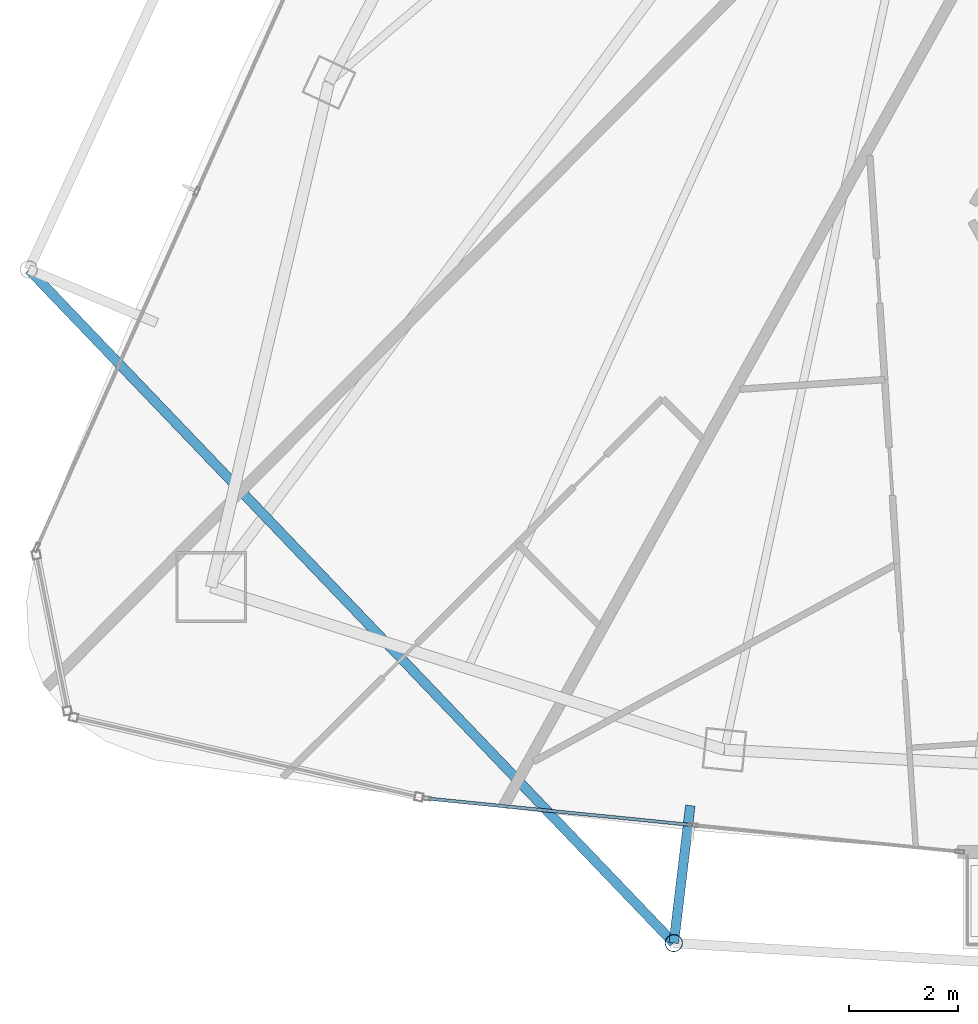
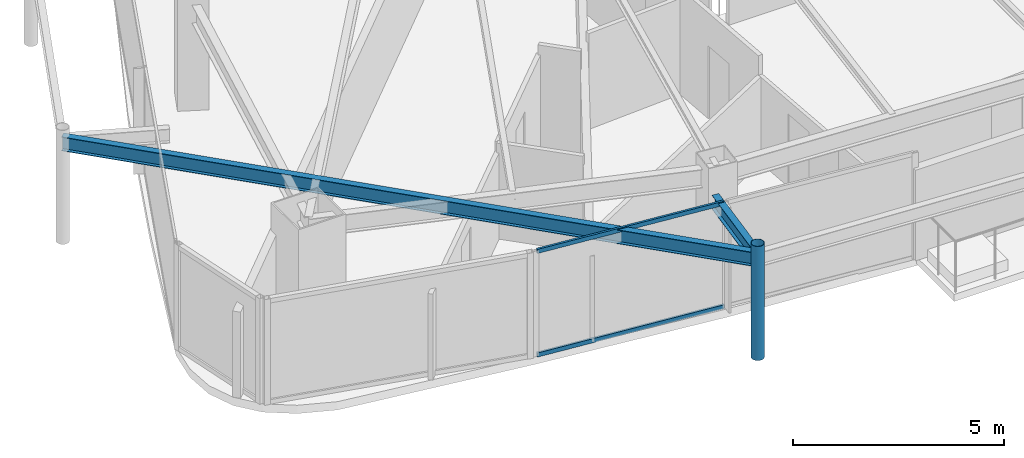
# One storey, part 3 of 29: 3 members, 2 beams, 1 element without a shape of its own.
"""IFC4 building model written with IfcOpenShell, lengths in metres."""

from ifc_helpers import new_model, si_unit, direction, frame, origin, origin_2d, place, context, subcontext, project, spatial, hollow_rectangle, hollow_circle, i_section, extrude, material, layer, layer_set, material_profile, profile_set, type_object, element, aggregate, save


model = new_model("IFC4")

# Units and contexts
model_context = context("Model", 3, precision=1e-05, world=origin(), true_north=direction((0.0, 1.0)))
body_context = subcontext(model_context, "Body", "Model", "MODEL_VIEW")
ifc_project = project(units=[si_unit("LENGTHUNIT", "METRE"), si_unit("AREAUNIT", "SQUARE_METRE"), si_unit("VOLUMEUNIT", "CUBIC_METRE"), si_unit("PLANEANGLEUNIT", "RADIAN"), si_unit("MASSUNIT", "GRAM", prefix="KILO")], contexts=[model_context])

# Site, building, storey
site_placement = place(None, origin())
site = spatial("IfcSite", under=ifc_project, at=site_placement, CompositionType="ELEMENT")
building_placement = place(site_placement, origin())
building = spatial("IfcBuilding", under=site, at=building_placement, Name="Orvanel Arch Residences", CompositionType="ELEMENT")
storey_placement = place(building_placement, frame((0.0, 0.0, 250.25)))
storey = spatial("IfcBuildingStorey", under=building, at=storey_placement, Name="L71", CompositionType="ELEMENT", Elevation=250.25)

# Beams
ifc_material_1 = material(Name="Structural steel AS/NZS 3679.1 Grade 300 (300 MPa)", Category="steel")
ifc_material_profile_1 = material_profile(ifc_material_1, i_section(OverallWidth=0.177978515625, OverallDepth=0.406005859375, WebThickness=0.0078125, FlangeThickness=0.0126953125, at=origin_2d()), Name="410UB59.7")
ifc_profile_set_1 = profile_set([ifc_material_profile_1], Name="Structural steel AS/NZS 3679.1 Grade 300 (300 MPa)")
beam_type = type_object("IfcBeamType", Name="OB-410UB-EXT", PredefinedType="SPANDREL", material=ifc_profile_set_1)
beam_1_placement = place(storey_placement, frame((10.841064453125, 16.197021484375, 2.85693359375), z_axis=(0.691619639198, -0.722261915565, 0.0), x_axis=(0.722261915565, 0.691619639198, 0.0)))
element("IfcBeam", 1, at=beam_1_placement, inside=storey, type_object=beam_type, Name="L71 Outer Perimeter Floor Ring Beam 04", PredefinedType="SPANDREL", context=body_context, shape_type="SweptSolid", body=[
    extrude(i_section(OverallWidth=0.177978515625, OverallDepth=0.406005859375, WebThickness=0.0078125, FlangeThickness=0.0126953125, at=origin_2d()), origin(), (0.0, 0.0, 1.0), 17.169921875),
])
beam_2_placement = place(storey_placement, frame((23.02001953125, 6.327880859375, 2.85693359375), z_axis=(-0.119190521137, -0.992871401376, 0.0), x_axis=(0.992871401376, -0.119190521137, 0.0)))
element("IfcBeam", 2, at=beam_2_placement, inside=storey, type_object=beam_type, Name="L71 Outer Frame Radial Tie Beam 05", PredefinedType="SPANDREL", context=body_context, shape_type="SweptSolid", body=[
    extrude(i_section(OverallWidth=0.177978515625, OverallDepth=0.406005859375, WebThickness=0.0078125, FlangeThickness=0.0126953125, at=origin_2d()), origin(), (0.0, 0.0, 1.0), 2.550048828125),
])

# Member
ifc_material_2 = material(Name="Structural steel AS/NZS 1163 C350L0 (Grade 350)", Category="steel")
ifc_material_profile_2 = material_profile(ifc_material_2, hollow_circle(Radius=0.162109375, WallThickness=0.0126953125, at=origin_2d()), Name="CHS324x12.7")
ifc_profile_set_2 = profile_set([ifc_material_profile_2], Name="Structural steel AS/NZS 1163 C350L0 (Grade 350)")
member_type_1 = type_object("IfcMemberType", Name="ST-324CHS-EXT", PredefinedType="STRUT", material=ifc_profile_set_2)
member_1_placement = place(storey_placement, frame((22.716064453125, 3.7958984375, 0.0), z_axis=(0.0, 0.0, 1.0), x_axis=(1.0, 0.0, 0.0)))
element("IfcMember", 3, at=member_1_placement, inside=storey, type_object=member_type_1, Name="L71 Outer Perimeter Frame Post 05", PredefinedType="STRUT", context=body_context, shape_type="SweptSolid", body=[
    extrude(hollow_circle(Radius=0.162109375, WallThickness=0.0126953125, at=origin_2d()), origin(), (0.0, 0.0, 1.0), 3.300048828125),
])

# Curtain wall, members
ifc_material_3 = material(Name="Bronze-anodised aluminium AA6063-T6", Category="aluminium")
ifc_layer = layer(ifc_material_3, 0.175048828125)
ifc_layer_set = layer_set([ifc_layer], Name="Bronze-anodised aluminium AA6063-T6")
curtain_wall_type = type_object("IfcCurtainWallType", Name="CW4-HI-SYS", PredefinedType="NOTDEFINED", material=ifc_layer_set)
curtain_wall_placement = place(storey_placement, origin())
curtain_wall = element("IfcCurtainWall", 4, at=curtain_wall_placement, inside=storey, type_object=curtain_wall_type, Name="L71 CW4-HI-SYS Unitised Curtain Wall", PredefinedType="NOTDEFINED")
ifc_material_profile_3 = material_profile(ifc_material_3, hollow_rectangle(XDim=0.06005859375, YDim=0.1201171875, WallThickness=0.00341796875, at=origin_2d()), Name="ALU120x60x3.5")
ifc_profile_set_3 = profile_set([ifc_material_profile_3], Name="Bronze-anodised aluminium AA6063-T6")
member_type_2 = type_object("IfcMemberType", Name="TRN-120x60", PredefinedType="USERDEFINED", material=ifc_profile_set_3)
member_2_placement = place(storey_placement, frame((18.20166015625, 6.45458984375, 0.030029296875), z_axis=(0.995027751564, -0.09959806031, 0.0), x_axis=(0.09959806031, 0.995027751564, 0.0)))
member_2 = element("IfcMember", 5, at=member_2_placement, type_object=member_type_2, Name="CW-S4 transom 1.1", ObjectType="TRANSOM", PredefinedType="USERDEFINED", context=body_context, shape_type="SweptSolid", body=[
    extrude(hollow_rectangle(XDim=0.06005859375, YDim=0.1201171875, WallThickness=0.00341796875, at=origin_2d()), origin(), (0.0, 0.0, 1.0), 4.8681640625),
])
member_3_placement = place(storey_placement, frame((18.20166015625, 6.45458984375, 3.030029296875), z_axis=(0.995027751564, -0.09959806031, 0.0), x_axis=(0.09959806031, 0.995027751564, 0.0)))
member_3 = element("IfcMember", 6, at=member_3_placement, type_object=member_type_2, Name="CW-S4 transom 1.2", ObjectType="TRANSOM", PredefinedType="USERDEFINED", context=body_context, shape_type="SweptSolid", body=[
    extrude(hollow_rectangle(XDim=0.06005859375, YDim=0.1201171875, WallThickness=0.00341796875, at=origin_2d()), origin(), (0.0, 0.0, 1.0), 4.8681640625),
])
aggregate(curtain_wall, [member_2, member_3])

save(model, "model.ifc")
